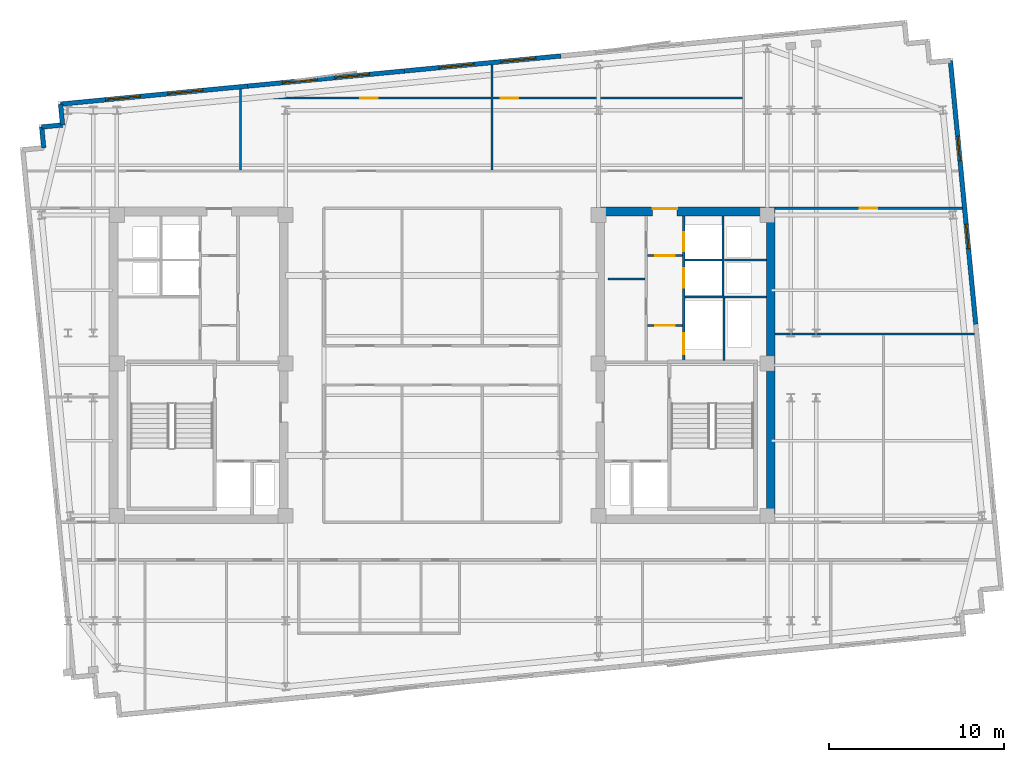
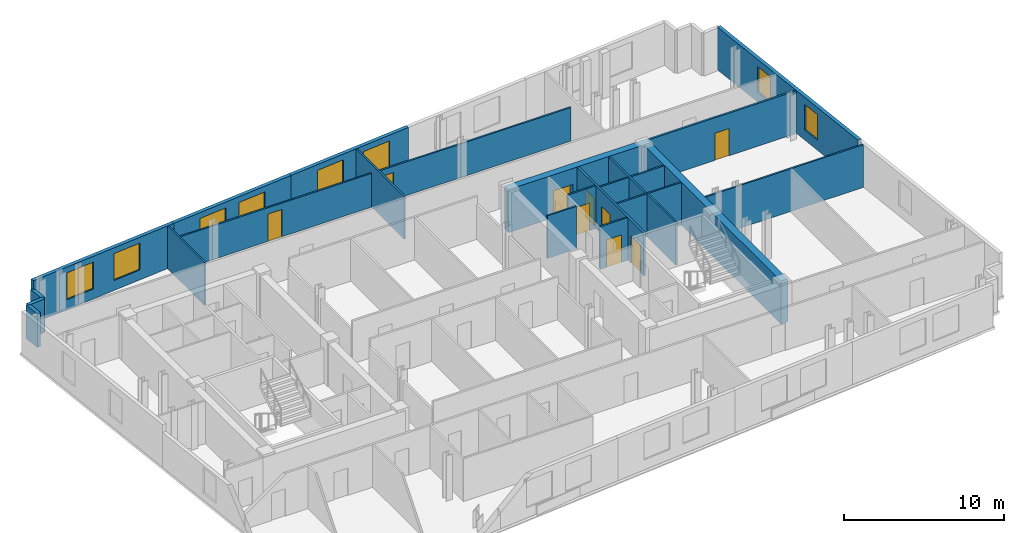
# One storey, part 6 of 9: 23 walls, 9 doors, 8 windows, 17 openings.
"""IFC4 building model written with IfcOpenShell, lengths in metres."""

from ifc_helpers import new_model, si_unit, direction, frame, frame_2d, origin, place, context, subcontext, project, spatial, rectangle, extrude, material, layer, layer_set, type_object, element, fill, save


model = new_model("IFC4")

# Units and contexts
model_context = context("Model", 3, precision=1e-05, world=origin(), true_north=direction((0.0, 1.0)))
body_context = subcontext(model_context, "Body", "Model", "MODEL_VIEW")
ifc_project = project(units=[si_unit("LENGTHUNIT", "METRE"), si_unit("AREAUNIT", "SQUARE_METRE"), si_unit("VOLUMEUNIT", "CUBIC_METRE"), si_unit("PLANEANGLEUNIT", "RADIAN"), si_unit("MASSUNIT", "GRAM", prefix="KILO")], contexts=[model_context])

# Site, building, storey
site_placement = place(None, origin())
site = spatial("IfcSite", under=ifc_project, at=site_placement, CompositionType="ELEMENT")
building_placement = place(site_placement, origin())
building = spatial("IfcBuilding", under=site, at=building_placement, Name="Velakula Bourse", CompositionType="ELEMENT")
storey_placement = place(building_placement, frame((0.0, 0.0, 272.39990234375)))
storey = spatial("IfcBuildingStorey", under=building, at=storey_placement, Name="L74", CompositionType="ELEMENT", Elevation=272.39990234375)

# Wall, opening, door
ifc_material_1 = material(Name="Concrete M50 (fck 50 MPa)", Category="concrete")
ifc_layer_1 = layer(ifc_material_1, 0.5, Name="Concrete M50 (fck 50 MPa)", Category="concrete")
ifc_layer_set_1 = layer_set([ifc_layer_1], Name="Concrete M50 (fck 50 MPa)")
wall_type_1 = type_object("IfcWallType", Name="WL-CORE-500", PredefinedType="SHEAR", material=ifc_layer_set_1)
wall_1_placement = place(storey_placement, frame((8.800048828125, 8.800048828125, 0.0), z_axis=(0.0, 0.0, 1.0), x_axis=(1.0, 0.0, 0.0)))
wall_1 = element("IfcWall", 1, at=wall_1_placement, inside=storey, type_object=wall_type_1, Name="L74 Core E Shear Wall N", PredefinedType="SHEAR", context=body_context, shape_type="SweptSolid", body=[
    extrude(rectangle(XDim=10.25, YDim=0.5, at=frame_2d((5.125, 0.0))), origin(), (0.0, 0.0, 1.0), 3.27001953125),
])
opening_1_placement = place(wall_1_placement, frame((3.25, 0.0, 0.0)))
opening_1 = element("IfcOpeningElement", 2, at=opening_1_placement, cuts=wall_1, Name="Opening D-LLE", PredefinedType="OPENING", context=body_context, shape_type="SweptSolid", body=[
    extrude(rectangle(XDim=1.39990234375, YDim=2.050048828125, at=frame_2d((0.699951171875, 1.02490234375))), frame((0.0, 0.260009765625, 0.0), z_axis=(0.0, -1.0, 0.0), x_axis=(1.0, 0.0, 0.0)), (0.0, 0.0, 1.0), 0.52001953125),
])
ifc_material_2 = material(Name="Fire-rated hardwood flush architectural door", Category="wood")
door_type_1 = type_object("IfcDoorType", Name="DR-DBL-FD60-1400", OperationType="DOUBLE_DOOR_SINGLE_SWING", PredefinedType="DOOR", material=ifc_material_2)
door_1_placement = place(opening_1_placement, origin())
door_1 = element("IfcDoor", 3, at=door_1_placement, inside=storey, type_object=door_type_1, Name="L74 Core E Lift Lobby Corridor Double Door", OperationType="DOUBLE_DOOR_SINGLE_SWING", OverallHeight=2.050048828125, OverallWidth=1.39990234375, PredefinedType="DOOR", context=body_context, shape_type="SweptSolid", body=[
    extrude(rectangle(XDim=1.39990234375, YDim=2.050048828125, at=frame_2d((0.699951171875, 1.02490234375))), frame((0.0, 0.19482421875, 0.0), z_axis=(0.0, -1.0, 0.0), x_axis=(1.0, 0.0, 0.0)), (0.0, 0.0, 1.0), 0.050048828125),
])
fill(opening_1, door_1)

# Wall
wall_2_placement = place(storey_placement, frame((18.800048828125, -8.550048828125, 0.0), z_axis=(0.0, 0.0, 1.0), x_axis=(0.0, 1.0, 0.0)))
element("IfcWall", 4, at=wall_2_placement, inside=storey, type_object=wall_type_1, Name="L74 Core E Shear Wall E", PredefinedType="SHEAR", context=body_context, shape_type="SweptSolid", body=[
    extrude(rectangle(XDim=17.10009765625, YDim=0.5, at=frame_2d((8.550048828125, 0.0))), origin(), (0.0, 0.0, 1.0), 3.27001953125),
])

# Wall, openings, windows
ifc_material_3 = material(Name="Buff kilned clay facing brick masonry", Category="masonry")
ifc_layer_2 = layer(ifc_material_3, 0.260009765625, Name="Buff kilned clay facing brick masonry", Category="masonry")
ifc_layer_set_2 = layer_set([ifc_layer_2], Name="Buff kilned clay facing brick masonry")
wall_type_2 = type_object("IfcWallType", Name="WL-EXT-BRK-260", PredefinedType="STANDARD", material=ifc_layer_set_2)
wall_3_placement = place(storey_placement, frame((-21.820556640625, 14.94482421875, 0.0), z_axis=(0.0, 0.0, 1.0), x_axis=(0.995394787719, 0.095860401528, 0.0)))
wall_3 = element("IfcWall", 5, at=wall_3_placement, inside=storey, type_object=wall_type_2, Name="L74 N Brick Spandrel Wall B1", PredefinedType="STANDARD", context=body_context, shape_type="SweptSolid", body=[
    extrude(rectangle(XDim=10.750244140625, YDim=0.260009765625, at=frame_2d((5.375, 0.0))), origin(), (0.0, 0.0, 1.0), 3.25),
])
opening_2_placement = place(wall_3_placement, frame((2.583251953125, 0.0, 0.760009765625)))
opening_2 = element("IfcOpeningElement", 6, at=opening_2_placement, cuts=wall_3, Name="Opening W-05", PredefinedType="OPENING", context=body_context, shape_type="SweptSolid", body=[
    extrude(rectangle(XDim=2.0, YDim=2.050048828125, at=frame_2d((1.0, 1.02490234375))), frame((0.0, 0.139892578125, 0.0), z_axis=(0.0, -1.0, 0.0), x_axis=(1.0, 0.0, 0.0)), (0.0, 0.0, 1.0), 0.280029296875),
])
opening_3_placement = place(wall_3_placement, frame((6.166748046875, 0.0, 0.760009765625)))
opening_3 = element("IfcOpeningElement", 7, at=opening_3_placement, cuts=wall_3, Name="Opening W-05", PredefinedType="OPENING", context=body_context, shape_type="SweptSolid", body=[
    extrude(rectangle(XDim=2.0, YDim=2.050048828125, at=frame_2d((1.0, 1.02490234375))), frame((0.0, 0.139892578125, 0.0), z_axis=(0.0, -1.0, 0.0), x_axis=(1.0, 0.0, 0.0)), (0.0, 0.0, 1.0), 0.280029296875),
])
ifc_material_4 = material(Name="Double-glazed solar-control Low-E glass", Category="glass")
window_type_1 = type_object("IfcWindowType", Name="WIN-TWR-2000x2200", PartitioningType="DOUBLE_PANEL_VERTICAL", PredefinedType="WINDOW", material=ifc_material_4)
window_1_placement = place(opening_2_placement, origin())
window_1 = element("IfcWindow", 8, at=window_1_placement, inside=storey, type_object=window_type_1, Name="L74 Deep-Set Recessed Window 1", OverallHeight=2.050048828125, OverallWidth=2.0, PartitioningType="DOUBLE_PANEL_VERTICAL", PredefinedType="WINDOW", context=body_context, shape_type="SweptSolid", body=[
    extrude(rectangle(XDim=2.0, YDim=2.050048828125, at=frame_2d((1.0, 1.02490234375))), frame((0.0, 0.030029296875, 0.0), z_axis=(0.0, -1.0, 0.0), x_axis=(1.0, 0.0, 0.0)), (0.0, 0.0, 1.0), 0.06005859375),
])
fill(opening_2, window_1)
window_2_placement = place(opening_3_placement, origin())
window_2 = element("IfcWindow", 9, at=window_2_placement, inside=storey, type_object=window_type_1, Name="L74 Deep-Set Recessed Window 2", OverallHeight=2.050048828125, OverallWidth=2.0, PartitioningType="DOUBLE_PANEL_VERTICAL", PredefinedType="WINDOW", context=body_context, shape_type="SweptSolid", body=[
    extrude(rectangle(XDim=2.0, YDim=2.050048828125, at=frame_2d((1.0, 1.02490234375))), frame((0.0, 0.030029296875, 0.0), z_axis=(0.0, -1.0, 0.0), x_axis=(1.0, 0.0, 0.0)), (0.0, 0.0, 1.0), 0.06005859375),
])
fill(opening_3, window_2)

wall_4_placement = place(storey_placement, frame((-11.119873046875, 15.975341796875, 0.0), z_axis=(0.0, 0.0, 1.0), x_axis=(0.995396794462, 0.09583956164, 0.0)))
wall_4 = element("IfcWall", 10, at=wall_4_placement, inside=storey, type_object=wall_type_2, Name="L74 N Brick Spandrel Wall B2", PredefinedType="STANDARD", context=body_context, shape_type="SweptSolid", body=[
    extrude(rectangle(XDim=9.0, YDim=0.260009765625, at=frame_2d((4.5, 0.0))), origin(), (0.0, 0.0, 1.0), 3.25),
])
opening_4_placement = place(wall_4_placement, frame((2.0, 0.0, 0.760009765625)))
opening_4 = element("IfcOpeningElement", 11, at=opening_4_placement, cuts=wall_4, Name="Opening W-05", PredefinedType="OPENING", context=body_context, shape_type="SweptSolid", body=[
    extrude(rectangle(XDim=2.0, YDim=2.050048828125, at=frame_2d((1.0, 1.02490234375))), frame((0.0, 0.139892578125, 0.0), z_axis=(0.0, -1.0, 0.0), x_axis=(1.0, 0.0, 0.0)), (0.0, 0.0, 1.0), 0.280029296875),
])
opening_5_placement = place(wall_4_placement, frame((5.0, 0.0, 0.760009765625)))
opening_5 = element("IfcOpeningElement", 12, at=opening_5_placement, cuts=wall_4, Name="Opening W-05", PredefinedType="OPENING", context=body_context, shape_type="SweptSolid", body=[
    extrude(rectangle(XDim=2.0, YDim=2.050048828125, at=frame_2d((1.0, 1.02490234375))), frame((0.0, 0.139892578125, 0.0), z_axis=(0.0, -1.0, 0.0), x_axis=(1.0, 0.0, 0.0)), (0.0, 0.0, 1.0), 0.280029296875),
])
window_3_placement = place(opening_4_placement, origin())
window_3 = element("IfcWindow", 13, at=window_3_placement, inside=storey, type_object=window_type_1, Name="L74 Deep-Set Recessed Window 1", OverallHeight=2.050048828125, OverallWidth=2.0, PartitioningType="DOUBLE_PANEL_VERTICAL", PredefinedType="WINDOW", context=body_context, shape_type="SweptSolid", body=[
    extrude(rectangle(XDim=2.0, YDim=2.050048828125, at=frame_2d((1.0, 1.02490234375))), frame((0.0, 0.030029296875, 0.0), z_axis=(0.0, -1.0, 0.0), x_axis=(1.0, 0.0, 0.0)), (0.0, 0.0, 1.0), 0.06005859375),
])
fill(opening_4, window_3)
window_4_placement = place(opening_5_placement, origin())
window_4 = element("IfcWindow", 14, at=window_4_placement, inside=storey, type_object=window_type_1, Name="L74 Deep-Set Recessed Window 2", OverallHeight=2.050048828125, OverallWidth=2.0, PartitioningType="DOUBLE_PANEL_VERTICAL", PredefinedType="WINDOW", context=body_context, shape_type="SweptSolid", body=[
    extrude(rectangle(XDim=2.0, YDim=2.050048828125, at=frame_2d((1.0, 1.02490234375))), frame((0.0, 0.030029296875, 0.0), z_axis=(0.0, -1.0, 0.0), x_axis=(1.0, 0.0, 0.0)), (0.0, 0.0, 1.0), 0.06005859375),
])
fill(opening_5, window_4)

wall_5_placement = place(storey_placement, frame((-2.161376953125, 16.837890625, 0.0), z_axis=(0.0, 0.0, 1.0), x_axis=(0.995396794462, 0.09583956164, 0.0)))
wall_5 = element("IfcWall", 15, at=wall_5_placement, inside=storey, type_object=wall_type_2, Name="L74 N Brick Spandrel Wall B3", PredefinedType="STANDARD", context=body_context, shape_type="SweptSolid", body=[
    extrude(rectangle(XDim=9.0, YDim=0.260009765625, at=frame_2d((4.5, 0.0))), origin(), (0.0, 0.0, 1.0), 3.25),
])
opening_6_placement = place(wall_5_placement, frame((2.0, 0.0, 0.760009765625)))
opening_6 = element("IfcOpeningElement", 16, at=opening_6_placement, cuts=wall_5, Name="Opening W-05", PredefinedType="OPENING", context=body_context, shape_type="SweptSolid", body=[
    extrude(rectangle(XDim=2.0, YDim=2.050048828125, at=frame_2d((1.0, 1.02490234375))), frame((0.0, 0.139892578125, 0.0), z_axis=(0.0, -1.0, 0.0), x_axis=(1.0, 0.0, 0.0)), (0.0, 0.0, 1.0), 0.280029296875),
])
opening_7_placement = place(wall_5_placement, frame((5.550048828125, 0.0, 0.760009765625)))
opening_7 = element("IfcOpeningElement", 17, at=opening_7_placement, cuts=wall_5, Name="Opening W-05", PredefinedType="OPENING", context=body_context, shape_type="SweptSolid", body=[
    extrude(rectangle(XDim=2.0, YDim=2.050048828125, at=frame_2d((1.0, 1.02490234375))), frame((0.0, 0.139892578125, 0.0), z_axis=(0.0, -1.0, 0.0), x_axis=(1.0, 0.0, 0.0)), (0.0, 0.0, 1.0), 0.280029296875),
])
window_5_placement = place(opening_6_placement, origin())
window_5 = element("IfcWindow", 18, at=window_5_placement, inside=storey, type_object=window_type_1, Name="L74 Deep-Set Recessed Window 1", OverallHeight=2.050048828125, OverallWidth=2.0, PartitioningType="DOUBLE_PANEL_VERTICAL", PredefinedType="WINDOW", context=body_context, shape_type="SweptSolid", body=[
    extrude(rectangle(XDim=2.0, YDim=2.050048828125, at=frame_2d((1.0, 1.02490234375))), frame((0.0, 0.030029296875, 0.0), z_axis=(0.0, -1.0, 0.0), x_axis=(1.0, 0.0, 0.0)), (0.0, 0.0, 1.0), 0.06005859375),
])
fill(opening_6, window_5)
window_6_placement = place(opening_7_placement, origin())
window_6 = element("IfcWindow", 19, at=window_6_placement, inside=storey, type_object=window_type_1, Name="L74 Deep-Set Recessed Window 2", OverallHeight=2.050048828125, OverallWidth=2.0, PartitioningType="DOUBLE_PANEL_VERTICAL", PredefinedType="WINDOW", context=body_context, shape_type="SweptSolid", body=[
    extrude(rectangle(XDim=2.0, YDim=2.050048828125, at=frame_2d((1.0, 1.02490234375))), frame((0.0, 0.030029296875, 0.0), z_axis=(0.0, -1.0, 0.0), x_axis=(1.0, 0.0, 0.0)), (0.0, 0.0, 1.0), 0.06005859375),
])
fill(opening_7, window_6)

wall_6_placement = place(storey_placement, frame((29.0751953125, 17.4345703125, 0.0), z_axis=(0.0, 0.0, 1.0), x_axis=(0.095850890337, -0.995395703638, 0.0)))
wall_6 = element("IfcWall", 20, at=wall_6_placement, inside=storey, type_object=wall_type_2, Name="L74 E Brick End Wall W2", PredefinedType="STANDARD", context=body_context, shape_type="SweptSolid", body=[
    extrude(rectangle(XDim=15.150146484375, YDim=0.260009765625, at=frame_2d((7.5751953125, 0.0))), origin(), (0.0, 0.0, 1.0), 3.25),
])
opening_8_placement = place(wall_6_placement, frame((4.35009765625, 0.0, 0.760009765625)))
opening_8 = element("IfcOpeningElement", 21, at=opening_8_placement, cuts=wall_6, Name="Opening W-03", PredefinedType="OPENING", context=body_context, shape_type="SweptSolid", body=[
    extrude(rectangle(XDim=1.39990234375, YDim=1.949951171875, at=frame_2d((0.699951171875, 0.97509765625))), frame((0.0, 0.139892578125, 0.0), z_axis=(0.0, -1.0, 0.0), x_axis=(1.0, 0.0, 0.0)), (0.0, 0.0, 1.0), 0.280029296875),
])
opening_9_placement = place(wall_6_placement, frame((9.39990234375, 0.0, 0.760009765625)))
opening_9 = element("IfcOpeningElement", 22, at=opening_9_placement, cuts=wall_6, Name="Opening W-03", PredefinedType="OPENING", context=body_context, shape_type="SweptSolid", body=[
    extrude(rectangle(XDim=1.39990234375, YDim=1.949951171875, at=frame_2d((0.699951171875, 0.97509765625))), frame((0.0, 0.139892578125, 0.0), z_axis=(0.0, -1.0, 0.0), x_axis=(1.0, 0.0, 0.0)), (0.0, 0.0, 1.0), 0.280029296875),
])
window_type_2 = type_object("IfcWindowType", Name="WIN-TWR-1400x2100", PartitioningType="SINGLE_PANEL", PredefinedType="WINDOW", material=ifc_material_4)
window_7_placement = place(opening_8_placement, origin())
window_7 = element("IfcWindow", 23, at=window_7_placement, inside=storey, type_object=window_type_2, Name="L74 Deep-Set Recessed Window 1", OverallHeight=1.949951171875, OverallWidth=1.39990234375, PartitioningType="SINGLE_PANEL", PredefinedType="WINDOW", context=body_context, shape_type="SweptSolid", body=[
    extrude(rectangle(XDim=1.39990234375, YDim=1.949951171875, at=frame_2d((0.699951171875, 0.97509765625))), frame((0.0, 0.030029296875, 0.0), z_axis=(0.0, -1.0, 0.0), x_axis=(1.0, 0.0, 0.0)), (0.0, 0.0, 1.0), 0.06005859375),
])
fill(opening_8, window_7)
window_8_placement = place(opening_9_placement, origin())
window_8 = element("IfcWindow", 24, at=window_8_placement, inside=storey, type_object=window_type_2, Name="L74 Deep-Set Recessed Window 2", OverallHeight=1.949951171875, OverallWidth=1.39990234375, PartitioningType="SINGLE_PANEL", PredefinedType="WINDOW", context=body_context, shape_type="SweptSolid", body=[
    extrude(rectangle(XDim=1.39990234375, YDim=1.949951171875, at=frame_2d((0.699951171875, 0.97509765625))), frame((0.0, 0.030029296875, 0.0), z_axis=(0.0, -1.0, 0.0), x_axis=(1.0, 0.0, 0.0)), (0.0, 0.0, 1.0), 0.06005859375),
])
fill(opening_9, window_8)

# Walls
wall_7_placement = place(storey_placement, frame((-21.820556640625, 14.94482421875, 0.0), z_axis=(0.0, 0.0, 1.0), x_axis=(0.096038073607, -0.995377661201, 0.0)))
element("IfcWall", 25, at=wall_7_placement, inside=storey, type_object=wall_type_2, Name="L74 Serrated Corner Brick Wall NW-1", PredefinedType="STANDARD", context=body_context, shape_type="SweptSolid", body=[
    extrude(rectangle(XDim=1.199951171875, YDim=0.260009765625, at=frame_2d((0.60009765625, 0.0))), origin(), (0.0, 0.0, 1.0), 2.565185546875),
])
for number, where, z_axis, x_axis, name in (
    (26, (-21.705322265625, 13.75048828125, 0.0), (0.0, 0.0, 1.0), (-0.995398960025, -0.095817067274, 0.0), "L74 Serrated Corner Brick Wall NW-2"),
    (27, (-22.89990234375, 13.635498046875, 0.0), (0.0, 0.0, 1.0), (0.095817067274, -0.995398960025, 0.0), "L74 Serrated Corner Brick Wall NW-3"),
):
    element("IfcWall", number, at=place(storey_placement, frame(where, z_axis=z_axis, x_axis=x_axis)), inside=storey, type_object=wall_type_2, Name=name, PredefinedType="STANDARD", context=body_context, shape_type="SweptSolid", body=[
        extrude(rectangle(XDim=1.2001953125, YDim=0.260009765625, at=frame_2d((0.60009765625, 0.0))), origin(), (0.0, 0.0, 1.0), 2.565185546875),
    ])

# Wall, opening, door
ifc_material_5 = material(Name="Fire-rated double-layer gypsum drywall partition", Category="gypsum")
ifc_layer_3 = layer(ifc_material_5, 0.1201171875, Name="Fire-rated double-layer gypsum drywall partition", Category="gypsum")
ifc_layer_set_3 = layer_set([ifc_layer_3], Name="Fire-rated double-layer gypsum drywall partition")
wall_type_3 = type_object("IfcWallType", Name="WL-PART-120", PredefinedType="STANDARD", material=ifc_layer_set_3)
wall_8_placement = place(storey_placement, frame((11.75, 2.280029296875, 0.0), z_axis=(0.0, 0.0, 1.0), x_axis=(1.0, 0.0, 0.0)))
wall_8 = element("IfcWall", 28, at=wall_8_placement, inside=storey, type_object=wall_type_3, Name="L74 Interior Partition WL-CRE-L74-LL-K3A", PredefinedType="STANDARD", context=body_context, shape_type="SweptSolid", body=[
    extrude(rectangle(XDim=2.0, YDim=0.1201171875, at=frame_2d((1.0, 0.0))), origin(), (0.0, 0.0, 1.0), 3.25),
])
opening_10_placement = place(wall_8_placement, frame((0.449951171875, 0.0, 0.0)))
opening_10 = element("IfcOpeningElement", 29, at=opening_10_placement, cuts=wall_8, Name="Opening D-LK3", PredefinedType="OPENING", context=body_context, shape_type="SweptSolid", body=[
    extrude(rectangle(XDim=1.10009765625, YDim=2.10009765625, at=frame_2d((0.550048828125, 1.050048828125))), frame((0.0, 0.070068359375, 0.0), z_axis=(0.0, -1.0, 0.0), x_axis=(1.0, 0.0, 0.0)), (0.0, 0.0, 1.0), 0.14013671875),
])
door_type_2 = type_object("IfcDoorType", Name="DR-FD60-1100x2100", OperationType="NOTDEFINED", PredefinedType="DOOR", material=ifc_material_2)
door_2_placement = place(opening_10_placement, origin())
door_2 = element("IfcDoor", 30, at=door_2_placement, inside=storey, type_object=door_type_2, Name="L74 Core E Lift Lobby Vestibule Door A", OperationType="SINGLE_SWING_RIGHT", OverallHeight=2.10009765625, OverallWidth=1.10009765625, PredefinedType="DOOR", context=body_context, shape_type="SweptSolid", body=[
    extrude(rectangle(XDim=1.10009765625, YDim=2.10009765625, at=frame_2d((0.550048828125, 1.050048828125))), frame((0.0, 0.02490234375, 0.0), z_axis=(0.0, -1.0, 0.0), x_axis=(1.0, 0.0, 0.0)), (0.0, 0.0, 1.0), 0.050048828125),
])
fill(opening_10, door_2)

wall_9_placement = place(storey_placement, frame((11.75, 6.280029296875, 0.0), z_axis=(0.0, 0.0, 1.0), x_axis=(1.0, 0.0, 0.0)))
wall_9 = element("IfcWall", 31, at=wall_9_placement, inside=storey, type_object=wall_type_3, Name="L74 Interior Partition WL-CRE-L74-LL-K3B", PredefinedType="STANDARD", context=body_context, shape_type="SweptSolid", body=[
    extrude(rectangle(XDim=2.0, YDim=0.1201171875, at=frame_2d((1.0, 0.0))), origin(), (0.0, 0.0, 1.0), 3.25),
])
opening_11_placement = place(wall_9_placement, frame((0.449951171875, 0.0, 0.0)))
opening_11 = element("IfcOpeningElement", 32, at=opening_11_placement, cuts=wall_9, Name="Opening D-LK3", PredefinedType="OPENING", context=body_context, shape_type="SweptSolid", body=[
    extrude(rectangle(XDim=1.10009765625, YDim=2.10009765625, at=frame_2d((0.550048828125, 1.050048828125))), frame((0.0, 0.070068359375, 0.0), z_axis=(0.0, -1.0, 0.0), x_axis=(1.0, 0.0, 0.0)), (0.0, 0.0, 1.0), 0.14013671875),
])
door_3_placement = place(opening_11_placement, origin())
door_3 = element("IfcDoor", 33, at=door_3_placement, inside=storey, type_object=door_type_2, Name="L74 Core E Lift Lobby Vestibule Door B", OperationType="SINGLE_SWING_RIGHT", OverallHeight=2.10009765625, OverallWidth=1.10009765625, PredefinedType="DOOR", context=body_context, shape_type="SweptSolid", body=[
    extrude(rectangle(XDim=1.10009765625, YDim=2.10009765625, at=frame_2d((0.550048828125, 1.050048828125))), frame((0.0, 0.02490234375, 0.0), z_axis=(0.0, -1.0, 0.0), x_axis=(1.0, 0.0, 0.0)), (0.0, 0.0, 1.0), 0.050048828125),
])
fill(opening_11, door_3)

# Walls
wall_10_placement = place(storey_placement, frame((9.5, 4.949951171875, 0.0), z_axis=(0.0, 0.0, 1.0), x_axis=(1.0, 0.0, 0.0)))
element("IfcWall", 34, at=wall_10_placement, inside=storey, type_object=wall_type_3, Name="L74 Interior Partition WL-CRE-L74-RCDIV", PredefinedType="STANDARD", context=body_context, shape_type="SweptSolid", body=[
    extrude(rectangle(XDim=2.10009765625, YDim=0.1201171875, at=frame_2d((1.050048828125, 0.0))), origin(), (0.0, 0.0, 1.0), 3.25),
])
wall_11_placement = place(storey_placement, frame((13.89990234375, 3.919921875, 0.0), z_axis=(0.0, 0.0, 1.0), x_axis=(1.0, 0.0, 0.0)))
element("IfcWall", 35, at=wall_11_placement, inside=storey, type_object=wall_type_3, Name="L74 Interior Partition WL-CRE-L74-HI-S", PredefinedType="STANDARD", context=body_context, shape_type="SweptSolid", body=[
    extrude(rectangle(XDim=4.650146484375, YDim=0.1201171875, at=frame_2d((2.3251953125, 0.0))), origin(), (0.0, 0.0, 1.0), 3.25),
])
wall_12_placement = place(storey_placement, frame((16.14990234375, 6.030029296875, 0.0), z_axis=(0.0, 0.0, 1.0), x_axis=(1.0, 0.0, 0.0)))
element("IfcWall", 36, at=wall_12_placement, inside=storey, type_object=wall_type_3, Name="L74 Interior Partition WL-CRE-L74-RIS-MID", PredefinedType="STANDARD", context=body_context, shape_type="SweptSolid", body=[
    extrude(rectangle(XDim=2.400146484375, YDim=0.1201171875, at=frame_2d((1.2001953125, 0.0))), origin(), (0.0, 0.0, 1.0), 3.25),
])
wall_13_placement = place(storey_placement, frame((16.074951171875, 3.97998046875, 0.0), z_axis=(0.0, 0.0, 1.0), x_axis=(0.0, 1.0, 0.0)))
element("IfcWall", 37, at=wall_13_placement, inside=storey, type_object=wall_type_3, Name="L74 Interior Partition WL-CRE-L74-RIS-F", PredefinedType="STANDARD", context=body_context, shape_type="SweptSolid", body=[
    extrude(rectangle(XDim=4.570068359375, YDim=0.1201171875, at=frame_2d((2.28515625, 0.0))), origin(), (0.0, 0.0, 1.0), 3.25),
])
wall_14_placement = place(storey_placement, frame((13.89990234375, 6.030029296875, 0.0), z_axis=(0.0, 0.0, 1.0), x_axis=(1.0, 0.0, 0.0)))
element("IfcWall", 38, at=wall_14_placement, inside=storey, type_object=wall_type_3, Name="L74 Interior Partition WL-CRE-L74-HI-DIV", PredefinedType="STANDARD", context=body_context, shape_type="SweptSolid", body=[
    extrude(rectangle(XDim=2.10009765625, YDim=0.1201171875, at=frame_2d((1.050048828125, 0.0))), origin(), (0.0, 0.0, 1.0), 3.25),
])
wall_15_placement = place(storey_placement, frame((16.125, 0.27001953125, 0.0), z_axis=(0.0, 0.0, 1.0), x_axis=(0.0, 1.0, 0.0)))
element("IfcWall", 39, at=wall_15_placement, inside=storey, type_object=wall_type_3, Name="L74 Interior Partition WL-CRE-L74-SVL-E", PredefinedType="STANDARD", context=body_context, shape_type="SweptSolid", body=[
    extrude(rectangle(XDim=3.590087890625, YDim=0.1201171875, at=frame_2d((1.794921875, 0.0))), origin(), (0.0, 0.0, 1.0), 3.25),
])
wall_16_placement = place(storey_placement, frame((-11.52294921875, 11.18994140625, 0.0), z_axis=(0.0, 0.0, 1.0), x_axis=(0.0, 1.0, 0.0)))
element("IfcWall", 40, at=wall_16_placement, inside=storey, type_object=wall_type_3, Name="L74 Interior Partition WL-INT-L74-N-D1", PredefinedType="STANDARD", context=body_context, shape_type="SweptSolid", body=[
    extrude(rectangle(XDim=4.615966796875, YDim=0.1201171875, at=frame_2d((2.30810546875, 0.0))), origin(), (0.0, 0.0, 1.0), 3.25),
])
wall_17_placement = place(storey_placement, frame((2.85693359375, 11.18994140625, 0.0), z_axis=(0.0, 0.0, 1.0), x_axis=(0.0, 1.0, 0.0)))
element("IfcWall", 41, at=wall_17_placement, inside=storey, type_object=wall_type_3, Name="L74 Interior Partition WL-INT-L74-N-D2", PredefinedType="STANDARD", context=body_context, shape_type="SweptSolid", body=[
    extrude(rectangle(XDim=6.00048828125, YDim=0.1201171875, at=frame_2d((3.000244140625, 0.0))), origin(), (0.0, 0.0, 1.0), 3.25),
])

# Wall, openings, doors
wall_18_placement = place(storey_placement, frame((-11.462890625, 15.2880859375, 0.0), z_axis=(0.0, 0.0, 1.0), x_axis=(1.0, 0.0, 0.0)))
wall_18 = element("IfcWall", 42, at=wall_18_placement, inside=storey, type_object=wall_type_3, Name="L74 Interior Partition WL-INT-L74-N-MID", PredefinedType="STANDARD", context=body_context, shape_type="SweptSolid", body=[
    extrude(rectangle(XDim=28.638916015625, YDim=0.1201171875, at=frame_2d((14.3193359375, 0.0))), origin(), (0.0, 0.0, 1.0), 2.565185546875),
])
opening_12_placement = place(wall_18_placement, frame((6.787109375, 0.0, 0.0)))
opening_12 = element("IfcOpeningElement", 43, at=opening_12_placement, cuts=wall_18, Name="Opening D-OF1", PredefinedType="OPENING", context=body_context, shape_type="SweptSolid", body=[
    extrude(rectangle(XDim=1.0, YDim=2.080078125, at=frame_2d((0.5, 1.0400390625))), frame((0.0, 0.070068359375, 0.0), z_axis=(0.0, -1.0, 0.0), x_axis=(1.0, 0.0, 0.0)), (0.0, 0.0, 1.0), 0.14013671875),
])
opening_13_placement = place(wall_18_placement, frame((14.82421875, 0.0, 0.0)))
opening_13 = element("IfcOpeningElement", 44, at=opening_13_placement, cuts=wall_18, Name="Opening D-OF1", PredefinedType="OPENING", context=body_context, shape_type="SweptSolid", body=[
    extrude(rectangle(XDim=1.0, YDim=2.080078125, at=frame_2d((0.5, 1.0400390625))), frame((0.0, 0.070068359375, 0.0), z_axis=(0.0, -1.0, 0.0), x_axis=(1.0, 0.0, 0.0)), (0.0, 0.0, 1.0), 0.14013671875),
])
door_type_3 = type_object("IfcDoorType", Name="DR-OFF-1000", OperationType="NOTDEFINED", PredefinedType="DOOR", material=ifc_material_2)
door_4_placement = place(opening_12_placement, origin())
door_4 = element("IfcDoor", 45, at=door_4_placement, inside=storey, type_object=door_type_3, Name="L74 Listing Committee Chamber Door", OperationType="SINGLE_SWING_LEFT", OverallHeight=2.080078125, OverallWidth=1.0, PredefinedType="DOOR", context=body_context, shape_type="SweptSolid", body=[
    extrude(rectangle(XDim=1.0, YDim=2.080078125, at=frame_2d((0.5, 1.0400390625))), frame((0.0, 0.02490234375, 0.0), z_axis=(0.0, -1.0, 0.0), x_axis=(1.0, 0.0, 0.0)), (0.0, 0.0, 1.0), 0.050048828125),
])
fill(opening_12, door_4)
door_5_placement = place(opening_13_placement, origin())
door_5 = element("IfcDoor", 46, at=door_5_placement, inside=storey, type_object=door_type_3, Name="L74 Traders Pantry Door", OperationType="SINGLE_SWING_LEFT", OverallHeight=2.080078125, OverallWidth=1.0, PredefinedType="DOOR", context=body_context, shape_type="SweptSolid", body=[
    extrude(rectangle(XDim=1.0, YDim=2.080078125, at=frame_2d((0.5, 1.0400390625))), frame((0.0, 0.02490234375, 0.0), z_axis=(0.0, -1.0, 0.0), x_axis=(1.0, 0.0, 0.0)), (0.0, 0.0, 1.0), 0.050048828125),
])
fill(opening_13, door_5)

# Wall
wall_19_placement = place(storey_placement, frame((19.050048828125, 1.800048828125, 0.0), z_axis=(0.0, 0.0, 1.0), x_axis=(1.0, 0.0, 0.0)))
element("IfcWall", 47, at=wall_19_placement, inside=storey, type_object=wall_type_3, Name="L74 Interior Partition WL-INT-L74-E-H", PredefinedType="STANDARD", context=body_context, shape_type="SweptSolid", body=[
    extrude(rectangle(XDim=11.400146484375, YDim=0.1201171875, at=frame_2d((5.7001953125, 0.0))), origin(), (0.0, 0.0, 1.0), 3.25),
])

# Wall, opening, door
ifc_layer_4 = layer(ifc_material_5, 0.139892578125, Name="Fire-rated double-layer gypsum drywall partition", Category="gypsum")
ifc_layer_set_4 = layer_set([ifc_layer_4], Name="Fire-rated double-layer gypsum drywall partition")
wall_type_4 = type_object("IfcWallType", Name="WL-PART-140", PredefinedType="STANDARD", material=ifc_layer_set_4)
wall_20_placement = place(storey_placement, frame((19.050048828125, 8.97998046875, 0.0), z_axis=(0.0, 0.0, 1.0), x_axis=(1.0, 0.0, 0.0)))
wall_20 = element("IfcWall", 48, at=wall_20_placement, inside=storey, type_object=wall_type_4, Name="L74 Interior Partition WL-INT-L74-E-NC", PredefinedType="STANDARD", context=body_context, shape_type="SweptSolid", body=[
    extrude(rectangle(XDim=10.708740234375, YDim=0.139892578125, at=frame_2d((5.3544921875, 0.0))), origin(), (0.0, 0.0, 1.0), 3.25),
])
opening_14_placement = place(wall_20_placement, frame((4.8544921875, 0.0, 0.0)))
opening_14 = element("IfcOpeningElement", 49, at=opening_14_placement, cuts=wall_20, Name="Opening D-OF1", PredefinedType="OPENING", context=body_context, shape_type="SweptSolid", body=[
    extrude(rectangle(XDim=1.0, YDim=2.080078125, at=frame_2d((0.5, 1.0400390625))), frame((0.0, 0.079833984375, 0.0), z_axis=(0.0, -1.0, 0.0), x_axis=(1.0, 0.0, 0.0)), (0.0, 0.0, 1.0), 0.159912109375),
])
door_6_placement = place(opening_14_placement, origin())
door_6 = element("IfcDoor", 50, at=door_6_placement, inside=storey, type_object=door_type_3, Name="L74 General Counsel Office Door", OperationType="SINGLE_SWING_RIGHT", OverallHeight=2.080078125, OverallWidth=1.0, PredefinedType="DOOR", context=body_context, shape_type="SweptSolid", body=[
    extrude(rectangle(XDim=1.0, YDim=2.080078125, at=frame_2d((0.5, 1.0400390625))), frame((0.0, 0.02490234375, 0.0), z_axis=(0.0, -1.0, 0.0), x_axis=(1.0, 0.0, 0.0)), (0.0, 0.0, 1.0), 0.050048828125),
])
fill(opening_14, door_6)

# Wall, openings, doors
ifc_material_6 = material(Name="Autoclaved aerated concrete blockwork masonry", Category="masonry")
ifc_layer_5 = layer(ifc_material_6, 0.14990234375, Name="Autoclaved aerated concrete blockwork masonry", Category="masonry")
ifc_layer_set_5 = layer_set([ifc_layer_5], Name="Autoclaved aerated concrete blockwork masonry")
wall_type_5 = type_object("IfcWallType", Name="WL-SHAFT-150", PredefinedType="STANDARD", material=ifc_layer_set_5)
wall_21_placement = place(storey_placement, frame((13.824951171875, 0.27001953125, 0.0), z_axis=(0.0, 0.0, 1.0), x_axis=(0.0, 1.0, 0.0)))
wall_21 = element("IfcWall", 51, at=wall_21_placement, inside=storey, type_object=wall_type_5, Name="L74 Interior Partition WL-CRE-L74-OUT-F", PredefinedType="STANDARD", context=body_context, shape_type="SweptSolid", body=[
    extrude(rectangle(XDim=8.280029296875, YDim=0.14990234375, at=frame_2d((4.14013671875, 0.0))), origin(), (0.0, 0.0, 1.0), 3.25),
])
opening_15_placement = place(wall_21_placement, frame((4.175048828125, 0.0, 0.0)))
opening_15 = element("IfcOpeningElement", 52, at=opening_15_placement, cuts=wall_21, Name="Opening LD-P11", PredefinedType="OPENING", context=body_context, shape_type="SweptSolid", body=[
    extrude(rectangle(XDim=1.10009765625, YDim=2.10009765625, at=frame_2d((0.550048828125, 1.050048828125))), frame((0.0, 0.0849609375, 0.0), z_axis=(0.0, -1.0, 0.0), x_axis=(1.0, 0.0, 0.0)), (0.0, 0.0, 1.0), 0.169921875),
])
opening_16_placement = place(wall_21_placement, frame((6.2451171875, 0.0, 0.0)))
opening_16 = element("IfcOpeningElement", 53, at=opening_16_placement, cuts=wall_21, Name="Opening LD-P12", PredefinedType="OPENING", context=body_context, shape_type="SweptSolid", body=[
    extrude(rectangle(XDim=1.10009765625, YDim=2.10009765625, at=frame_2d((0.550048828125, 1.050048828125))), frame((0.0, 0.0849609375, 0.0), z_axis=(0.0, -1.0, 0.0), x_axis=(1.0, 0.0, 0.0)), (0.0, 0.0, 1.0), 0.169921875),
])
opening_17_placement = place(wall_21_placement, frame((0.3798828125, 0.0, 0.0)))
opening_17 = element("IfcOpeningElement", 54, at=opening_17_placement, cuts=wall_21, Name="Opening LD-SVL1", PredefinedType="OPENING", context=body_context, shape_type="SweptSolid", body=[
    extrude(rectangle(XDim=1.199951171875, YDim=2.10009765625, at=frame_2d((0.60009765625, 1.050048828125))), frame((0.0, 0.0849609375, 0.0), z_axis=(0.0, -1.0, 0.0), x_axis=(1.0, 0.0, 0.0)), (0.0, 0.0, 1.0), 0.169921875),
])
ifc_material_7 = material(Name="Brushed grade 316 stainless steel", Category="steel")
door_type_4 = type_object("IfcDoorType", Name="DR-SLIDE-LD-1100", OperationType="DOUBLE_DOOR_SLIDING", PredefinedType="DOOR", material=ifc_material_7)
door_7_placement = place(opening_15_placement, origin())
door_7 = element("IfcDoor", 55, at=door_7_placement, inside=storey, type_object=door_type_4, Name="L74 Passenger Lift P11 Sliding Landing Door", OperationType="DOUBLE_DOOR_SLIDING", OverallHeight=2.10009765625, OverallWidth=1.10009765625, PredefinedType="DOOR", context=body_context, shape_type="SweptSolid", body=[
    extrude(rectangle(XDim=1.10009765625, YDim=2.10009765625, at=frame_2d((0.550048828125, 1.050048828125))), frame((0.0, 0.02490234375, 0.0), z_axis=(0.0, -1.0, 0.0), x_axis=(1.0, 0.0, 0.0)), (0.0, 0.0, 1.0), 0.050048828125),
])
fill(opening_15, door_7)
door_8_placement = place(opening_16_placement, origin())
door_8 = element("IfcDoor", 56, at=door_8_placement, inside=storey, type_object=door_type_4, Name="L74 Passenger Lift P12 Sliding Landing Door", OperationType="DOUBLE_DOOR_SLIDING", OverallHeight=2.10009765625, OverallWidth=1.10009765625, PredefinedType="DOOR", context=body_context, shape_type="SweptSolid", body=[
    extrude(rectangle(XDim=1.10009765625, YDim=2.10009765625, at=frame_2d((0.550048828125, 1.050048828125))), frame((0.0, 0.02490234375, 0.0), z_axis=(0.0, -1.0, 0.0), x_axis=(1.0, 0.0, 0.0)), (0.0, 0.0, 1.0), 0.050048828125),
])
fill(opening_16, door_8)
door_type_5 = type_object("IfcDoorType", Name="DR-SLIDE-LD-1200", OperationType="DOUBLE_DOOR_SLIDING", PredefinedType="DOOR", material=ifc_material_7)
door_9_placement = place(opening_17_placement, origin())
door_9 = element("IfcDoor", 57, at=door_9_placement, inside=storey, type_object=door_type_5, Name="L74 Service Lift SVL-1 Sliding Landing Door", OperationType="DOUBLE_DOOR_SLIDING", OverallHeight=2.10009765625, OverallWidth=1.199951171875, PredefinedType="DOOR", context=body_context, shape_type="SweptSolid", body=[
    extrude(rectangle(XDim=1.199951171875, YDim=2.10009765625, at=frame_2d((0.60009765625, 1.050048828125))), frame((0.0, 0.02490234375, 0.0), z_axis=(0.0, -1.0, 0.0), x_axis=(1.0, 0.0, 0.0)), (0.0, 0.0, 1.0), 0.050048828125),
])
fill(opening_17, door_9)

save(model, "model.ifc")
